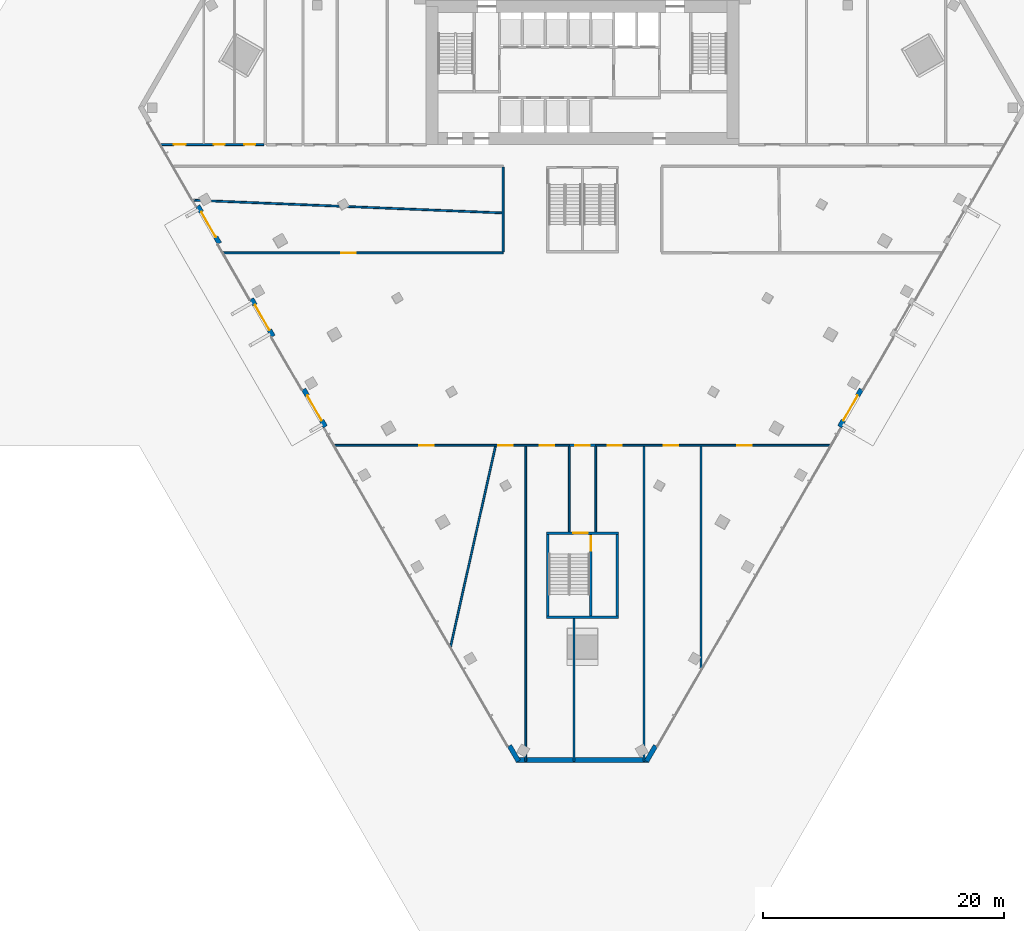
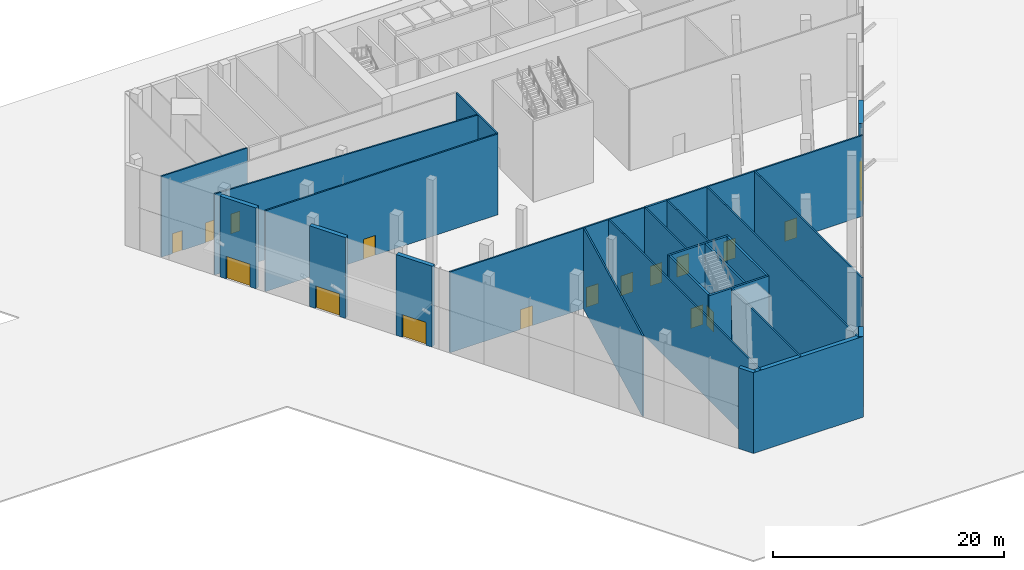
# One storey, part 12 of 21: 26 walls, 17 doors, 17 openings.
"""IFC4 building model written with IfcOpenShell, lengths in metres."""

from ifc_helpers import new_model, si_unit, direction, frame, frame_2d, origin, place, context, subcontext, project, spatial, rectangle, extrude, material, layer, layer_set, type_object, element, fill, save


model = new_model("IFC4")

# Units and contexts
model_context = context("Model", 3, precision=1e-05, world=origin(), true_north=direction((0.0, 1.0)))
body_context = subcontext(model_context, "Body", "Model", "MODEL_VIEW")
ifc_project = project(units=[si_unit("LENGTHUNIT", "METRE"), si_unit("AREAUNIT", "SQUARE_METRE"), si_unit("VOLUMEUNIT", "CUBIC_METRE"), si_unit("PLANEANGLEUNIT", "RADIAN"), si_unit("MASSUNIT", "GRAM", prefix="KILO")], contexts=[model_context])

# Site, building, storey
site_placement = place(None, origin())
site = spatial("IfcSite", under=ifc_project, at=site_placement, CompositionType="ELEMENT")
building_placement = place(site_placement, origin())
building = spatial("IfcBuilding", under=site, at=building_placement, Name="Altiplano Prism Tower", CompositionType="ELEMENT")
storey_placement = place(building_placement, origin())
storey = spatial("IfcBuildingStorey", under=building, at=storey_placement, Name="L00", CompositionType="ELEMENT", Elevation=0.0)

# Wall, openings, doors
ifc_material_1 = material(Name="Plasterboard on steel stud", Category="steel")
ifc_layer_1 = layer(ifc_material_1, 0.14990234375)
ifc_layer_set_1 = layer_set([ifc_layer_1], Name="Plasterboard on steel stud")
wall_type_1 = type_object("IfcWallType", Name="Partition 150 corridor", PredefinedType="PARTITIONING", material=ifc_layer_set_1)
wall_1_placement = place(storey_placement, frame((64.35009765625, 67.39990234375, 0.0), z_axis=(0.0, 0.0, 1.0), x_axis=(1.0, 0.0, 0.0)))
wall_1 = element("IfcWall", 1, at=wall_1_placement, inside=storey, type_object=wall_type_1, Name="Partition P06 L00 001", PredefinedType="PARTITIONING", context=body_context, shape_type="SweptSolid", body=[
    extrude(rectangle(XDim=19.5498046875, YDim=0.14990234375, at=frame_2d((9.77490234375, 0.0))), origin(), (0.0, 0.0, 1.0), 8.550048828125),
])
opening_1_placement = place(wall_1_placement, frame((7.069580078125, 0.0, 0.0)))
opening_1 = element("IfcOpeningElement", 2, at=opening_1_placement, cuts=wall_1, Name="Opening D0008", PredefinedType="OPENING", context=body_context, shape_type="SweptSolid", body=[
    extrude(rectangle(XDim=1.199951171875, YDim=2.10009765625, at=frame_2d((0.60009765625, 1.050048828125))), frame((0.0, 0.08544921875, 0.0), z_axis=(0.0, -1.0, 0.0), x_axis=(1.0, 0.0, 0.0)), (0.0, 0.0, 1.0), 0.1708984375),
])
opening_2_placement = place(wall_1_placement, frame((13.66357421875, 0.0, 0.0)))
opening_2 = element("IfcOpeningElement", 3, at=opening_2_placement, cuts=wall_1, Name="Opening D0012", PredefinedType="OPENING", context=body_context, shape_type="SweptSolid", body=[
    extrude(rectangle(XDim=1.199951171875, YDim=2.10009765625, at=frame_2d((0.60009765625, 1.050048828125))), frame((0.0, 0.08544921875, 0.0), z_axis=(0.0, -1.0, 0.0), x_axis=(1.0, 0.0, 0.0)), (0.0, 0.0, 1.0), 0.1708984375),
])
opening_3_placement = place(wall_1_placement, frame((17.110595703125, 0.0, 0.0)))
opening_3 = element("IfcOpeningElement", 4, at=opening_3_placement, cuts=wall_1, Name="Opening D0016", PredefinedType="OPENING", context=body_context, shape_type="SweptSolid", body=[
    extrude(rectangle(XDim=1.199951171875, YDim=2.10009765625, at=frame_2d((0.60009765625, 1.050048828125))), frame((0.0, 0.08544921875, 0.0), z_axis=(0.0, -1.0, 0.0), x_axis=(1.0, 0.0, 0.0)), (0.0, 0.0, 1.0), 0.1708984375),
])
ifc_material_2 = material(Name="Timber", Category="wood")
door_type_1 = type_object("IfcDoorType", Name="Shared room door 1200 x 2100", OperationType="NOTDEFINED", PredefinedType="NOTDEFINED", material=ifc_material_2)
door_1_placement = place(opening_1_placement, origin())
door_1 = element("IfcDoor", 5, at=door_1_placement, inside=storey, type_object=door_type_1, Name="Door D0008", OperationType="SINGLE_SWING_LEFT", OverallHeight=2.10009765625, OverallWidth=1.199951171875, PredefinedType="NOTDEFINED", context=body_context, shape_type="SweptSolid", body=[
    extrude(rectangle(XDim=1.199951171875, YDim=2.10009765625, at=frame_2d((0.60009765625, 1.050048828125))), frame((0.0, 0.02490234375, 0.0), z_axis=(0.0, -1.0, 0.0), x_axis=(1.0, 0.0, 0.0)), (0.0, 0.0, 1.0), 0.050048828125),
])
fill(opening_1, door_1)
door_2_placement = place(opening_2_placement, origin())
door_2 = element("IfcDoor", 6, at=door_2_placement, inside=storey, type_object=door_type_1, Name="Door D0012", OperationType="SINGLE_SWING_RIGHT", OverallHeight=2.10009765625, OverallWidth=1.199951171875, PredefinedType="NOTDEFINED", context=body_context, shape_type="SweptSolid", body=[
    extrude(rectangle(XDim=1.199951171875, YDim=2.10009765625, at=frame_2d((0.60009765625, 1.050048828125))), frame((0.0, 0.02490234375, 0.0), z_axis=(0.0, -1.0, 0.0), x_axis=(1.0, 0.0, 0.0)), (0.0, 0.0, 1.0), 0.050048828125),
])
fill(opening_2, door_2)
door_3_placement = place(opening_3_placement, origin())
door_3 = element("IfcDoor", 7, at=door_3_placement, inside=storey, type_object=door_type_1, Name="Door D0016", OperationType="SINGLE_SWING_LEFT", OverallHeight=2.10009765625, OverallWidth=1.199951171875, PredefinedType="NOTDEFINED", context=body_context, shape_type="SweptSolid", body=[
    extrude(rectangle(XDim=1.199951171875, YDim=2.10009765625, at=frame_2d((0.60009765625, 1.050048828125))), frame((0.0, 0.02490234375, 0.0), z_axis=(0.0, -1.0, 0.0), x_axis=(1.0, 0.0, 0.0)), (0.0, 0.0, 1.0), 0.050048828125),
])
fill(opening_3, door_3)

wall_2_placement = place(storey_placement, frame((86.10009765625, 67.39990234375, 0.0), z_axis=(0.0, 0.0, 1.0), x_axis=(1.0, 0.0, 0.0)))
wall_2 = element("IfcWall", 8, at=wall_2_placement, inside=storey, type_object=wall_type_1, Name="Partition P06 L00 003", PredefinedType="PARTITIONING", context=body_context, shape_type="SweptSolid", body=[
    extrude(rectangle(XDim=19.5498046875, YDim=0.14990234375, at=frame_2d((9.77490234375, 0.0))), origin(), (0.0, 0.0, 1.0), 8.550048828125),
])
opening_4_placement = place(wall_2_placement, frame((0.98291015625, 0.0, 0.0)))
opening_4 = element("IfcOpeningElement", 9, at=opening_4_placement, cuts=wall_2, Name="Opening D0009", PredefinedType="OPENING", context=body_context, shape_type="SweptSolid", body=[
    extrude(rectangle(XDim=1.199951171875, YDim=2.10009765625, at=frame_2d((0.60009765625, 1.050048828125))), frame((0.0, 0.08544921875, 0.0), z_axis=(0.0, -1.0, 0.0), x_axis=(1.0, 0.0, 0.0)), (0.0, 0.0, 1.0), 0.1708984375),
])
opening_5_placement = place(wall_2_placement, frame((5.64697265625, 0.0, 0.0)))
opening_5 = element("IfcOpeningElement", 10, at=opening_5_placement, cuts=wall_2, Name="Opening D0011", PredefinedType="OPENING", context=body_context, shape_type="SweptSolid", body=[
    extrude(rectangle(XDim=1.199951171875, YDim=2.10009765625, at=frame_2d((0.60009765625, 1.050048828125))), frame((0.0, 0.08544921875, 0.0), z_axis=(0.0, -1.0, 0.0), x_axis=(1.0, 0.0, 0.0)), (0.0, 0.0, 1.0), 0.1708984375),
])
opening_6_placement = place(wall_2_placement, frame((11.780029296875, 0.0, 0.0)))
opening_6 = element("IfcOpeningElement", 11, at=opening_6_placement, cuts=wall_2, Name="Opening D0013", PredefinedType="OPENING", context=body_context, shape_type="SweptSolid", body=[
    extrude(rectangle(XDim=1.199951171875, YDim=2.10009765625, at=frame_2d((0.60009765625, 1.050048828125))), frame((0.0, 0.08544921875, 0.0), z_axis=(0.0, -1.0, 0.0), x_axis=(1.0, 0.0, 0.0)), (0.0, 0.0, 1.0), 0.1708984375),
])
door_4_placement = place(opening_4_placement, origin())
door_4 = element("IfcDoor", 12, at=door_4_placement, inside=storey, type_object=door_type_1, Name="Door D0009", OperationType="SINGLE_SWING_RIGHT", OverallHeight=2.10009765625, OverallWidth=1.199951171875, PredefinedType="NOTDEFINED", context=body_context, shape_type="SweptSolid", body=[
    extrude(rectangle(XDim=1.199951171875, YDim=2.10009765625, at=frame_2d((0.60009765625, 1.050048828125))), frame((0.0, 0.02490234375, 0.0), z_axis=(0.0, -1.0, 0.0), x_axis=(1.0, 0.0, 0.0)), (0.0, 0.0, 1.0), 0.050048828125),
])
fill(opening_4, door_4)
door_5_placement = place(opening_5_placement, origin())
door_5 = element("IfcDoor", 13, at=door_5_placement, inside=storey, type_object=door_type_1, Name="Door D0011", OperationType="SINGLE_SWING_RIGHT", OverallHeight=2.10009765625, OverallWidth=1.199951171875, PredefinedType="NOTDEFINED", context=body_context, shape_type="SweptSolid", body=[
    extrude(rectangle(XDim=1.199951171875, YDim=2.10009765625, at=frame_2d((0.60009765625, 1.050048828125))), frame((0.0, 0.02490234375, 0.0), z_axis=(0.0, -1.0, 0.0), x_axis=(1.0, 0.0, 0.0)), (0.0, 0.0, 1.0), 0.050048828125),
])
fill(opening_5, door_5)
door_6_placement = place(opening_6_placement, origin())
door_6 = element("IfcDoor", 14, at=door_6_placement, inside=storey, type_object=door_type_1, Name="Door D0013", OperationType="SINGLE_SWING_RIGHT", OverallHeight=2.10009765625, OverallWidth=1.199951171875, PredefinedType="NOTDEFINED", context=body_context, shape_type="SweptSolid", body=[
    extrude(rectangle(XDim=1.199951171875, YDim=2.10009765625, at=frame_2d((0.60009765625, 1.050048828125))), frame((0.0, 0.02490234375, 0.0), z_axis=(0.0, -1.0, 0.0), x_axis=(1.0, 0.0, 0.0)), (0.0, 0.0, 1.0), 0.050048828125),
])
fill(opening_6, door_6)

# Wall, opening, door
wall_3_placement = place(storey_placement, frame((78.39990234375, 83.39990234375, 0.0), z_axis=(0.0, 0.0, 1.0), x_axis=(-1.0, 0.0, 0.0)))
wall_3 = element("IfcWall", 15, at=wall_3_placement, inside=storey, type_object=wall_type_1, Name="Partition P06 L00 004", PredefinedType="PARTITIONING", context=body_context, shape_type="SweptSolid", body=[
    extrude(rectangle(XDim=23.287353515625, YDim=0.14990234375, at=frame_2d((11.6435546875, 0.0))), origin(), (0.0, 0.0, 1.0), 8.550048828125),
])
opening_7_placement = place(wall_3_placement, frame((12.26806640625, 0.0, 0.0)))
opening_7 = element("IfcOpeningElement", 16, at=opening_7_placement, cuts=wall_3, Name="Opening D0014", PredefinedType="OPENING", context=body_context, shape_type="SweptSolid", body=[
    extrude(rectangle(XDim=1.199951171875, YDim=2.10009765625, at=frame_2d((0.60009765625, 1.050048828125))), frame((0.0, 0.08544921875, 0.0), z_axis=(0.0, -1.0, 0.0), x_axis=(1.0, 0.0, 0.0)), (0.0, 0.0, 1.0), 0.1708984375),
])
door_7_placement = place(opening_7_placement, origin())
door_7 = element("IfcDoor", 17, at=door_7_placement, inside=storey, type_object=door_type_1, Name="Door D0014", OperationType="SINGLE_SWING_LEFT", OverallHeight=2.10009765625, OverallWidth=1.199951171875, PredefinedType="NOTDEFINED", context=body_context, shape_type="SweptSolid", body=[
    extrude(rectangle(XDim=1.199951171875, YDim=2.10009765625, at=frame_2d((0.60009765625, 1.050048828125))), frame((0.0, 0.02490234375, 0.0), z_axis=(0.0, -1.0, 0.0), x_axis=(1.0, 0.0, 0.0)), (0.0, 0.0, 1.0), 0.050048828125),
])
fill(opening_7, door_7)

# Wall
wall_4_placement = place(storey_placement, frame((78.39990234375, 90.52490234375, 0.0), z_axis=(0.0, 0.0, 1.0), x_axis=(0.0, -1.0, 0.0)))
element("IfcWall", 18, at=wall_4_placement, inside=storey, type_object=wall_type_1, Name="Partition P06 L00 005", PredefinedType="PARTITIONING", context=body_context, shape_type="SweptSolid", body=[
    extrude(rectangle(XDim=7.0498046875, YDim=0.14990234375, at=frame_2d((3.52490234375, 0.0))), origin(), (0.0, 0.0, 1.0), 8.550048828125),
])

# Wall, openings, doors
wall_5_placement = place(storey_placement, frame((58.515869140625, 92.39990234375, 0.0), z_axis=(0.0, 0.0, 1.0), x_axis=(-1.0, 0.0, 0.0)))
wall_5 = element("IfcWall", 19, at=wall_5_placement, inside=storey, type_object=wall_type_1, Name="Partition P06 L00 008", PredefinedType="PARTITIONING", context=body_context, shape_type="SweptSolid", body=[
    extrude(rectangle(XDim=8.599609375, YDim=0.14990234375, at=frame_2d((4.2998046875, 0.0))), origin(), (0.0, 0.0, 1.0), 8.550048828125),
])
opening_8_placement = place(wall_5_placement, frame((3.281005859375, 0.0, 0.0)))
opening_8 = element("IfcOpeningElement", 20, at=opening_8_placement, cuts=wall_5, Name="Opening D0001", PredefinedType="OPENING", context=body_context, shape_type="SweptSolid", body=[
    extrude(rectangle(XDim=0.89990234375, YDim=2.10009765625, at=frame_2d((0.449951171875, 1.050048828125))), frame((0.0, 0.08544921875, 0.0), z_axis=(0.0, -1.0, 0.0), x_axis=(1.0, 0.0, 0.0)), (0.0, 0.0, 1.0), 0.1708984375),
])
opening_9_placement = place(wall_5_placement, frame((0.72705078125, 0.0, 0.0)))
opening_9 = element("IfcOpeningElement", 21, at=opening_9_placement, cuts=wall_5, Name="Opening D0002", PredefinedType="OPENING", context=body_context, shape_type="SweptSolid", body=[
    extrude(rectangle(XDim=0.89990234375, YDim=2.10009765625, at=frame_2d((0.449951171875, 1.050048828125))), frame((0.0, 0.08544921875, 0.0), z_axis=(0.0, -1.0, 0.0), x_axis=(1.0, 0.0, 0.0)), (0.0, 0.0, 1.0), 0.1708984375),
])
opening_10_placement = place(wall_5_placement, frame((6.49609375, 0.0, 0.0)))
opening_10 = element("IfcOpeningElement", 22, at=opening_10_placement, cuts=wall_5, Name="Opening D0005", PredefinedType="OPENING", context=body_context, shape_type="SweptSolid", body=[
    extrude(rectangle(XDim=1.0, YDim=2.10009765625, at=frame_2d((0.5, 1.050048828125))), frame((0.0, 0.08544921875, 0.0), z_axis=(0.0, -1.0, 0.0), x_axis=(1.0, 0.0, 0.0)), (0.0, 0.0, 1.0), 0.1708984375),
])
door_type_2 = type_object("IfcDoorType", Name="Store door 1000 x 2100", OperationType="NOTDEFINED", PredefinedType="NOTDEFINED", material=ifc_material_2)
door_8_placement = place(opening_10_placement, origin())
door_8 = element("IfcDoor", 23, at=door_8_placement, inside=storey, type_object=door_type_2, Name="Door D0005", OperationType="SINGLE_SWING_LEFT", OverallHeight=2.10009765625, OverallWidth=1.0, PredefinedType="NOTDEFINED", context=body_context, shape_type="SweptSolid", body=[
    extrude(rectangle(XDim=1.0, YDim=2.10009765625, at=frame_2d((0.5, 1.050048828125))), frame((0.0, 0.02490234375, 0.0), z_axis=(0.0, -1.0, 0.0), x_axis=(1.0, 0.0, 0.0)), (0.0, 0.0, 1.0), 0.050048828125),
])
fill(opening_10, door_8)
door_type_3 = type_object("IfcDoorType", Name="Toilet door 900 x 2100", OperationType="NOTDEFINED", PredefinedType="NOTDEFINED", material=ifc_material_2)
door_9_placement = place(opening_8_placement, origin())
door_9 = element("IfcDoor", 24, at=door_9_placement, inside=storey, type_object=door_type_3, Name="Door D0001", OperationType="SINGLE_SWING_LEFT", OverallHeight=2.10009765625, OverallWidth=0.89990234375, PredefinedType="NOTDEFINED", context=body_context, shape_type="SweptSolid", body=[
    extrude(rectangle(XDim=0.89990234375, YDim=2.10009765625, at=frame_2d((0.449951171875, 1.050048828125))), frame((0.0, 0.02490234375, 0.0), z_axis=(0.0, -1.0, 0.0), x_axis=(1.0, 0.0, 0.0)), (0.0, 0.0, 1.0), 0.050048828125),
])
fill(opening_8, door_9)
door_10_placement = place(opening_9_placement, origin())
door_10 = element("IfcDoor", 25, at=door_10_placement, inside=storey, type_object=door_type_3, Name="Door D0002", OperationType="SINGLE_SWING_RIGHT", OverallHeight=2.10009765625, OverallWidth=0.89990234375, PredefinedType="NOTDEFINED", context=body_context, shape_type="SweptSolid", body=[
    extrude(rectangle(XDim=0.89990234375, YDim=2.10009765625, at=frame_2d((0.449951171875, 1.050048828125))), frame((0.0, 0.02490234375, 0.0), z_axis=(0.0, -1.0, 0.0), x_axis=(1.0, 0.0, 0.0)), (0.0, 0.0, 1.0), 0.050048828125),
])
fill(opening_9, door_10)

# Walls
for number, where, z_axis, x_axis, name in (
    (26, (86.10009765625, 60.199951171875, 0.0), (0.0, 0.0, 1.0), (0.0, 1.0, 0.0), "Partition P06 L00 013"),
    (27, (83.89990234375, 67.324951171875, 0.0), (0.0, 0.0, 1.0), (0.0, -1.0, 0.0), "Partition P06 L00 014"),
):
    element("IfcWall", number, at=place(storey_placement, frame(where, z_axis=z_axis, x_axis=x_axis)), inside=storey, type_object=wall_type_1, Name=name, PredefinedType="PARTITIONING", context=body_context, shape_type="SweptSolid", body=[
        extrude(rectangle(XDim=7.125, YDim=0.14990234375, at=frame_2d((3.5625, 0.0))), origin(), (0.0, 0.0, 1.0), 8.550048828125),
    ])
ifc_layer_2 = layer(ifc_material_1, 0.14990234375)
ifc_layer_set_2 = layer_set([ifc_layer_2], Name="Plasterboard on steel stud")
wall_type_2 = type_object("IfcWallType", Name="Partition 150 party", PredefinedType="PARTITIONING", material=ifc_layer_set_2)
wall_6_placement = place(storey_placement, frame((74.027099609375, 50.623779296875, 0.0), z_axis=(0.0, 0.0, 1.0), x_axis=(0.218238124456, 0.975895548219, 0.0)))
element("IfcWall", 28, at=wall_6_placement, inside=storey, type_object=wall_type_2, Name="Partition P01 L00 021", PredefinedType="PARTITIONING", context=body_context, shape_type="SweptSolid", body=[
    extrude(rectangle(XDim=17.096923828125, YDim=0.14990234375, at=frame_2d((8.54833984375, 0.0))), origin(), (0.0, 0.0, 1.0), 8.550048828125),
])
wall_7_placement = place(storey_placement, frame((90.115966796875, 41.126220703125, 0.0), z_axis=(0.0, 0.0, 1.0), x_axis=(0.0, 1.0, 0.0)))
element("IfcWall", 29, at=wall_7_placement, inside=storey, type_object=wall_type_2, Name="Partition P01 L00 022", PredefinedType="PARTITIONING", context=body_context, shape_type="SweptSolid", body=[
    extrude(rectangle(XDim=26.19873046875, YDim=0.14990234375, at=frame_2d((13.099365234375, 0.0))), origin(), (0.0, 0.0, 1.0), 8.550048828125),
])
wall_8_placement = place(storey_placement, frame((84.295166015625, 53.0, 0.0), z_axis=(0.0, 0.0, 1.0), x_axis=(0.0, -1.0, 0.0)))
element("IfcWall", 30, at=wall_8_placement, inside=storey, type_object=wall_type_2, Name="Partition P01 L00 023", PredefinedType="PARTITIONING", context=body_context, shape_type="SweptSolid", body=[
    extrude(rectangle(XDim=11.873779296875, YDim=0.14990234375, at=frame_2d((5.93701171875, 0.0))), origin(), (0.0, 0.0, 1.0), 8.550048828125),
])
wall_9_placement = place(storey_placement, frame((94.856201171875, 48.67529296875, 0.0), z_axis=(0.0, 0.0, 1.0), x_axis=(0.0, 1.0, 0.0)))
element("IfcWall", 31, at=wall_9_placement, inside=storey, type_object=wall_type_2, Name="Partition P01 L00 025", PredefinedType="PARTITIONING", context=body_context, shape_type="SweptSolid", body=[
    extrude(rectangle(XDim=18.649658203125, YDim=0.14990234375, at=frame_2d((9.32470703125, 0.0))), origin(), (0.0, 0.0, 1.0), 8.550048828125),
])
wall_10_placement = place(storey_placement, frame((80.2744140625, 41.126220703125, 0.0), z_axis=(0.0, 0.0, 1.0), x_axis=(0.0, 1.0, 0.0)))
element("IfcWall", 32, at=wall_10_placement, inside=storey, type_object=wall_type_2, Name="Partition P01 L00 026", PredefinedType="PARTITIONING", context=body_context, shape_type="SweptSolid", body=[
    extrude(rectangle(XDim=26.19873046875, YDim=0.14990234375, at=frame_2d((13.099365234375, 0.0))), origin(), (0.0, 0.0, 1.0), 8.550048828125),
])
wall_11_placement = place(storey_placement, frame((78.322021484375, 86.72314453125, 0.0), z_axis=(0.0, 0.0, 1.0), x_axis=(-0.999152360677, 0.041165035564, 0.0)))
element("IfcWall", 33, at=wall_11_placement, inside=storey, type_object=wall_type_2, Name="Partition P01 L00 027", PredefinedType="PARTITIONING", context=body_context, shape_type="SweptSolid", body=[
    extrude(rectangle(XDim=25.76318359375, YDim=0.14990234375, at=frame_2d((12.881591796875, 0.0))), origin(), (0.0, 0.0, 1.0), 8.550048828125),
])

# Wall, opening, door
ifc_material_3 = material(Name="Concrete C60/75", Category="concrete")
ifc_layer_3 = layer(ifc_material_3, 0.199951171875)
ifc_layer_set_3 = layer_set([ifc_layer_3], Name="Concrete C60/75")
wall_type_3 = type_object("IfcWallType", Name="Stair wall 200", PredefinedType="SOLIDWALL", material=ifc_layer_set_3)
wall_12_placement = place(storey_placement, frame((82.0, 60.10009765625, 0.0), z_axis=(0.0, 0.0, 1.0), x_axis=(1.0, 0.0, 0.0)))
wall_12 = element("IfcWall", 34, at=wall_12_placement, inside=storey, type_object=wall_type_3, Name="Stair 4 wall north L00", PredefinedType="SOLIDWALL", context=body_context, shape_type="SweptSolid", body=[
    extrude(rectangle(XDim=6.0, YDim=0.199951171875, at=frame_2d((3.0, 0.0))), origin(), (0.0, 0.0, 1.0), 8.550048828125),
])
opening_11_placement = place(wall_12_placement, frame((2.25, 0.0, 0.0)))
opening_11 = element("IfcOpeningElement", 35, at=opening_11_placement, cuts=wall_12, Name="Opening D4067", PredefinedType="OPENING", context=body_context, shape_type="SweptSolid", body=[
    extrude(rectangle(XDim=1.199951171875, YDim=2.10009765625, at=frame_2d((0.60009765625, 1.050048828125))), frame((0.0, 0.1103515625, 0.0), z_axis=(0.0, -1.0, 0.0), x_axis=(1.0, 0.0, 0.0)), (0.0, 0.0, 1.0), 0.220947265625),
])
ifc_material_4 = material(Name="Fire-rated steel door", Category="steel")
door_type_4 = type_object("IfcDoorType", Name="Stair exit door 1200 x 2100", OperationType="NOTDEFINED", PredefinedType="NOTDEFINED", material=ifc_material_4)
door_11_placement = place(opening_11_placement, origin())
door_11 = element("IfcDoor", 36, at=door_11_placement, inside=storey, type_object=door_type_4, Name="Stair fire door D4067", OperationType="SINGLE_SWING_LEFT", OverallHeight=2.10009765625, OverallWidth=1.199951171875, PredefinedType="NOTDEFINED", context=body_context, shape_type="SweptSolid", body=[
    extrude(rectangle(XDim=1.199951171875, YDim=2.10009765625, at=frame_2d((0.60009765625, 1.050048828125))), frame((0.0, 0.02490234375, 0.0), z_axis=(0.0, -1.0, 0.0), x_axis=(1.0, 0.0, 0.0)), (0.0, 0.0, 1.0), 0.050048828125),
])
fill(opening_11, door_11)

# Walls
wall_13_placement = place(storey_placement, frame((82.0, 53.10009765625, 0.0), z_axis=(0.0, 0.0, 1.0), x_axis=(1.0, 0.0, 0.0)))
element("IfcWall", 37, at=wall_13_placement, inside=storey, type_object=wall_type_3, Name="Stair 4 wall south L00", PredefinedType="SOLIDWALL", context=body_context, shape_type="SweptSolid", body=[
    extrude(rectangle(XDim=6.0, YDim=0.199951171875, at=frame_2d((3.0, 0.0))), origin(), (0.0, 0.0, 1.0), 8.550048828125),
])
for number, where, z_axis, x_axis, name in (
    (38, (82.10009765625, 53.199951171875, 0.0), (0.0, 0.0, 1.0), (0.0, 1.0, 0.0), "Stair 4 wall west L00"),
    (39, (87.89990234375, 53.199951171875, 0.0), (0.0, 0.0, 1.0), (0.0, 1.0, 0.0), "Stair 4 wall east L00"),
):
    element("IfcWall", number, at=place(storey_placement, frame(where, z_axis=z_axis, x_axis=x_axis)), inside=storey, type_object=wall_type_3, Name=name, PredefinedType="SOLIDWALL", context=body_context, shape_type="SweptSolid", body=[
        extrude(rectangle(XDim=6.800048828125, YDim=0.199951171875, at=frame_2d((3.39990234375, 0.0))), origin(), (0.0, 0.0, 1.0), 8.550048828125),
    ])

# Wall, opening, door
wall_14_placement = place(storey_placement, frame((85.699951171875, 53.199951171875, 0.0), z_axis=(0.0, 0.0, 1.0), x_axis=(0.0, 1.0, 0.0)))
wall_14 = element("IfcWall", 40, at=wall_14_placement, inside=storey, type_object=wall_type_3, Name="Stair 4 wall divider L00", PredefinedType="SOLIDWALL", context=body_context, shape_type="SweptSolid", body=[
    extrude(rectangle(XDim=6.800048828125, YDim=0.199951171875, at=frame_2d((3.39990234375, 0.0))), origin(), (0.0, 0.0, 1.0), 8.550048828125),
])
opening_12_placement = place(wall_14_placement, frame((5.449951171875, 0.0, 0.0)))
opening_12 = element("IfcOpeningElement", 41, at=opening_12_placement, cuts=wall_14, Name="Opening D4066", PredefinedType="OPENING", context=body_context, shape_type="SweptSolid", body=[
    extrude(rectangle(XDim=1.199951171875, YDim=2.10009765625, at=frame_2d((0.60009765625, 1.050048828125))), frame((0.0, 0.1103515625, 0.0), z_axis=(0.0, -1.0, 0.0), x_axis=(1.0, 0.0, 0.0)), (0.0, 0.0, 1.0), 0.220947265625),
])
door_type_5 = type_object("IfcDoorType", Name="Stair fire door 1200 x 2100", OperationType="NOTDEFINED", PredefinedType="NOTDEFINED", material=ifc_material_4)
door_12_placement = place(opening_12_placement, frame((1.199951171875, 0.0, 0.0), z_axis=(0.0, 0.0, 1.0), x_axis=(-1.0, 0.0, 0.0)))
door_12 = element("IfcDoor", 42, at=door_12_placement, inside=storey, type_object=door_type_5, Name="Stair fire door D4066", OperationType="SINGLE_SWING_LEFT", OverallHeight=2.10009765625, OverallWidth=1.199951171875, PredefinedType="NOTDEFINED", context=body_context, shape_type="SweptSolid", body=[
    extrude(rectangle(XDim=1.199951171875, YDim=2.10009765625, at=frame_2d((0.60009765625, 1.050048828125))), frame((0.0, 0.02490234375, 0.0), z_axis=(0.0, -1.0, 0.0), x_axis=(1.0, 0.0, 0.0)), (0.0, 0.0, 1.0), 0.050048828125),
])
fill(opening_12, door_12)

wall_15_placement = place(storey_placement, frame((83.89990234375, 67.39990234375, 0.0), z_axis=(0.0, 0.0, 1.0), x_axis=(1.0, 0.0, 0.0)))
wall_15 = element("IfcWall", 43, at=wall_15_placement, inside=storey, type_object=wall_type_3, Name="Exit passage wall L00", PredefinedType="SOLIDWALL", context=body_context, shape_type="SweptSolid", body=[
    extrude(rectangle(XDim=2.2001953125, YDim=0.199951171875, at=frame_2d((1.10009765625, 0.0))), origin(), (0.0, 0.0, 1.0), 8.550048828125),
])
opening_13_placement = place(wall_15_placement, frame((0.5, 0.0, 0.0)))
opening_13 = element("IfcOpeningElement", 44, at=opening_13_placement, cuts=wall_15, Name="Opening D4068", PredefinedType="OPENING", context=body_context, shape_type="SweptSolid", body=[
    extrude(rectangle(XDim=1.199951171875, YDim=2.10009765625, at=frame_2d((0.60009765625, 1.050048828125))), frame((0.0, 0.1103515625, 0.0), z_axis=(0.0, -1.0, 0.0), x_axis=(1.0, 0.0, 0.0)), (0.0, 0.0, 1.0), 0.220947265625),
])
door_13_placement = place(opening_13_placement, origin())
door_13 = element("IfcDoor", 45, at=door_13_placement, inside=storey, type_object=door_type_4, Name="Stair fire door D4068", OperationType="SINGLE_SWING_LEFT", OverallHeight=2.10009765625, OverallWidth=1.199951171875, PredefinedType="NOTDEFINED", context=body_context, shape_type="SweptSolid", body=[
    extrude(rectangle(XDim=1.199951171875, YDim=2.10009765625, at=frame_2d((0.60009765625, 1.050048828125))), frame((0.0, 0.02490234375, 0.0), z_axis=(0.0, -1.0, 0.0), x_axis=(1.0, 0.0, 0.0)), (0.0, 0.0, 1.0), 0.050048828125),
])
fill(opening_13, door_13)

ifc_material_5 = material(Name="Concrete C40", Category="concrete")
ifc_layer_4 = layer(ifc_material_5, 0.39990234375)
ifc_layer_set_4 = layer_set([ifc_layer_4], Name="Concrete C40")
wall_type_4 = type_object("IfcWallType", Name="Stone-clad podium wall 400", PredefinedType="SOLIDWALL", material=ifc_layer_set_4)
wall_16_placement = place(storey_placement, frame((54.809326171875, 84.19189453125, 0.0), z_axis=(0.0, 0.0, 1.0), x_axis=(-0.500012057535, 0.866018442252, 0.0)))
wall_16 = element("IfcWall", 46, at=wall_16_placement, inside=storey, type_object=wall_type_4, Name="External wall south-west face L00", PredefinedType="SOLIDWALL", context=body_context, shape_type="SweptSolid", body=[
    extrude(rectangle(XDim=3.60009765625, YDim=0.39990234375, at=frame_2d((1.800048828125, 0.0))), origin(), (0.0, 0.0, 1.0), 8.550048828125),
])
opening_14_placement = place(wall_16_placement, frame((0.60009765625, 0.0, 0.0)))
opening_14 = element("IfcOpeningElement", 47, at=opening_14_placement, cuts=wall_16, Name="Opening D2556", PredefinedType="OPENING", context=body_context, shape_type="SweptSolid", body=[
    extrude(rectangle(XDim=2.39990234375, YDim=2.39990234375, at=frame_2d((1.199951171875, 1.199951171875))), frame((0.0, 0.21044921875, 0.0), z_axis=(0.0, -1.0, 0.0), x_axis=(1.0, 0.0, 0.0)), (0.0, 0.0, 1.0), 0.4208984375),
])
ifc_material_6 = material(Name="Glass", Category="glass")
door_type_6 = type_object("IfcDoorType", Name="Automatic sliding door 2400 x 2400", OperationType="NOTDEFINED", PredefinedType="NOTDEFINED", material=ifc_material_6)
door_14_placement = place(opening_14_placement, origin())
door_14 = element("IfcDoor", 48, at=door_14_placement, inside=storey, type_object=door_type_6, Name="Entrance door concourse south-west face 1", OperationType="SLIDING_TO_LEFT", OverallHeight=2.39990234375, OverallWidth=2.39990234375, PredefinedType="NOTDEFINED", context=body_context, shape_type="SweptSolid", body=[
    extrude(rectangle(XDim=2.39990234375, YDim=2.39990234375, at=frame_2d((1.199951171875, 1.199951171875))), frame((0.0, 0.02490234375, 0.0), z_axis=(0.0, -1.0, 0.0), x_axis=(1.0, 0.0, 0.0)), (0.0, 0.0, 1.0), 0.050048828125),
])
fill(opening_14, door_14)

wall_17_placement = place(storey_placement, frame((59.274169921875, 76.458740234375, 0.0), z_axis=(0.0, 0.0, 1.0), x_axis=(-0.500012057535, 0.866018442252, 0.0)))
wall_17 = element("IfcWall", 49, at=wall_17_placement, inside=storey, type_object=wall_type_4, Name="External wall south-west face L00", PredefinedType="SOLIDWALL", context=body_context, shape_type="SweptSolid", body=[
    extrude(rectangle(XDim=3.60009765625, YDim=0.39990234375, at=frame_2d((1.800048828125, 0.0))), origin(), (0.0, 0.0, 1.0), 8.550048828125),
])
opening_15_placement = place(wall_17_placement, frame((0.60009765625, 0.0, 0.0)))
opening_15 = element("IfcOpeningElement", 50, at=opening_15_placement, cuts=wall_17, Name="Opening D2557", PredefinedType="OPENING", context=body_context, shape_type="SweptSolid", body=[
    extrude(rectangle(XDim=2.39990234375, YDim=2.39990234375, at=frame_2d((1.199951171875, 1.199951171875))), frame((0.0, 0.21044921875, 0.0), z_axis=(0.0, -1.0, 0.0), x_axis=(1.0, 0.0, 0.0)), (0.0, 0.0, 1.0), 0.4208984375),
])
door_15_placement = place(opening_15_placement, origin())
door_15 = element("IfcDoor", 51, at=door_15_placement, inside=storey, type_object=door_type_6, Name="Entrance door concourse south-west face 2", OperationType="SLIDING_TO_RIGHT", OverallHeight=2.39990234375, OverallWidth=2.39990234375, PredefinedType="NOTDEFINED", context=body_context, shape_type="SweptSolid", body=[
    extrude(rectangle(XDim=2.39990234375, YDim=2.39990234375, at=frame_2d((1.199951171875, 1.199951171875))), frame((0.0, 0.02490234375, 0.0), z_axis=(0.0, -1.0, 0.0), x_axis=(1.0, 0.0, 0.0)), (0.0, 0.0, 1.0), 0.050048828125),
])
fill(opening_15, door_15)

wall_18_placement = place(storey_placement, frame((63.614013671875, 68.94189453125, 0.0), z_axis=(0.0, 0.0, 1.0), x_axis=(-0.500012057535, 0.866018442252, 0.0)))
wall_18 = element("IfcWall", 52, at=wall_18_placement, inside=storey, type_object=wall_type_4, Name="External wall south-west face L00", PredefinedType="SOLIDWALL", context=body_context, shape_type="SweptSolid", body=[
    extrude(rectangle(XDim=3.60009765625, YDim=0.39990234375, at=frame_2d((1.800048828125, 0.0))), origin(), (0.0, 0.0, 1.0), 8.550048828125),
])
opening_16_placement = place(wall_18_placement, frame((0.60009765625, 0.0, 0.0)))
opening_16 = element("IfcOpeningElement", 53, at=opening_16_placement, cuts=wall_18, Name="Opening D2558", PredefinedType="OPENING", context=body_context, shape_type="SweptSolid", body=[
    extrude(rectangle(XDim=2.39990234375, YDim=2.39990234375, at=frame_2d((1.199951171875, 1.199951171875))), frame((0.0, 0.21044921875, 0.0), z_axis=(0.0, -1.0, 0.0), x_axis=(1.0, 0.0, 0.0)), (0.0, 0.0, 1.0), 0.4208984375),
])
door_16_placement = place(opening_16_placement, origin())
door_16 = element("IfcDoor", 54, at=door_16_placement, inside=storey, type_object=door_type_6, Name="Entrance door concourse south-west face 3", OperationType="SLIDING_TO_LEFT", OverallHeight=2.39990234375, OverallWidth=2.39990234375, PredefinedType="NOTDEFINED", context=body_context, shape_type="SweptSolid", body=[
    extrude(rectangle(XDim=2.39990234375, YDim=2.39990234375, at=frame_2d((1.199951171875, 1.199951171875))), frame((0.0, 0.02490234375, 0.0), z_axis=(0.0, -1.0, 0.0), x_axis=(1.0, 0.0, 0.0)), (0.0, 0.0, 1.0), 0.050048828125),
])
fill(opening_16, door_16)

# Walls
wall_19_placement = place(storey_placement, frame((79.673095703125, 41.126220703125, 0.0), z_axis=(0.0, 0.0, 1.0), x_axis=(-0.499990139034, 0.866031096941, 0.0)))
element("IfcWall", 55, at=wall_19_placement, inside=storey, type_object=wall_type_4, Name="External wall south-west face L00", PredefinedType="SOLIDWALL", context=body_context, shape_type="SweptSolid", body=[
    extrude(rectangle(XDim=1.5, YDim=0.39990234375, at=frame_2d((0.75, 0.0))), origin(), (0.0, 0.0, 1.0), 8.550048828125),
])
wall_20_placement = place(storey_placement, frame((90.5, 41.226318359375, 0.0), z_axis=(0.0, 0.0, 1.0), x_axis=(-1.0, 0.0, 0.0)))
element("IfcWall", 56, at=wall_20_placement, inside=storey, type_object=wall_type_4, Name="External wall south chamfer L00", PredefinedType="SOLIDWALL", context=body_context, shape_type="SweptSolid", body=[
    extrude(rectangle(XDim=11.0, YDim=0.39990234375, at=frame_2d((5.5, 0.0))), origin(), (0.0, 0.0, 1.0), 8.550048828125),
])
wall_21_placement = place(storey_placement, frame((91.076904296875, 42.42529296875, 0.0), z_axis=(0.0, 0.0, 1.0), x_axis=(-0.499990139034, -0.866031096941, 0.0)))
element("IfcWall", 57, at=wall_21_placement, inside=storey, type_object=wall_type_4, Name="External wall south-east face L00", PredefinedType="SOLIDWALL", context=body_context, shape_type="SweptSolid", body=[
    extrude(rectangle(XDim=1.5, YDim=0.39990234375, at=frame_2d((0.75, 0.0))), origin(), (0.0, 0.0, 1.0), 8.550048828125),
])

# Wall, opening, door
wall_22_placement = place(storey_placement, frame((108.18603515625, 72.0595703125, 0.0), z_axis=(0.0, 0.0, 1.0), x_axis=(-0.500012057535, -0.866018442252, 0.0)))
wall_22 = element("IfcWall", 58, at=wall_22_placement, inside=storey, type_object=wall_type_4, Name="External wall south-east face L00", PredefinedType="SOLIDWALL", context=body_context, shape_type="SweptSolid", body=[
    extrude(rectangle(XDim=3.60009765625, YDim=0.39990234375, at=frame_2d((1.800048828125, 0.0))), origin(), (0.0, 0.0, 1.0), 8.550048828125),
])
opening_17_placement = place(wall_22_placement, frame((0.60009765625, 0.0, 0.0)))
opening_17 = element("IfcOpeningElement", 59, at=opening_17_placement, cuts=wall_22, Name="Opening D2559", PredefinedType="OPENING", context=body_context, shape_type="SweptSolid", body=[
    extrude(rectangle(XDim=2.39990234375, YDim=2.39990234375, at=frame_2d((1.199951171875, 1.199951171875))), frame((0.0, 0.21044921875, 0.0), z_axis=(0.0, -1.0, 0.0), x_axis=(1.0, 0.0, 0.0)), (0.0, 0.0, 1.0), 0.4208984375),
])
door_17_placement = place(opening_17_placement, origin())
door_17 = element("IfcDoor", 60, at=door_17_placement, inside=storey, type_object=door_type_6, Name="Entrance door concourse south-east face 1", OperationType="SLIDING_TO_LEFT", OverallHeight=2.39990234375, OverallWidth=2.39990234375, PredefinedType="NOTDEFINED", context=body_context, shape_type="SweptSolid", body=[
    extrude(rectangle(XDim=2.39990234375, YDim=2.39990234375, at=frame_2d((1.199951171875, 1.199951171875))), frame((0.0, 0.02490234375, 0.0), z_axis=(0.0, -1.0, 0.0), x_axis=(1.0, 0.0, 0.0)), (0.0, 0.0, 1.0), 0.050048828125),
])
fill(opening_17, door_17)

save(model, "model.ifc")
